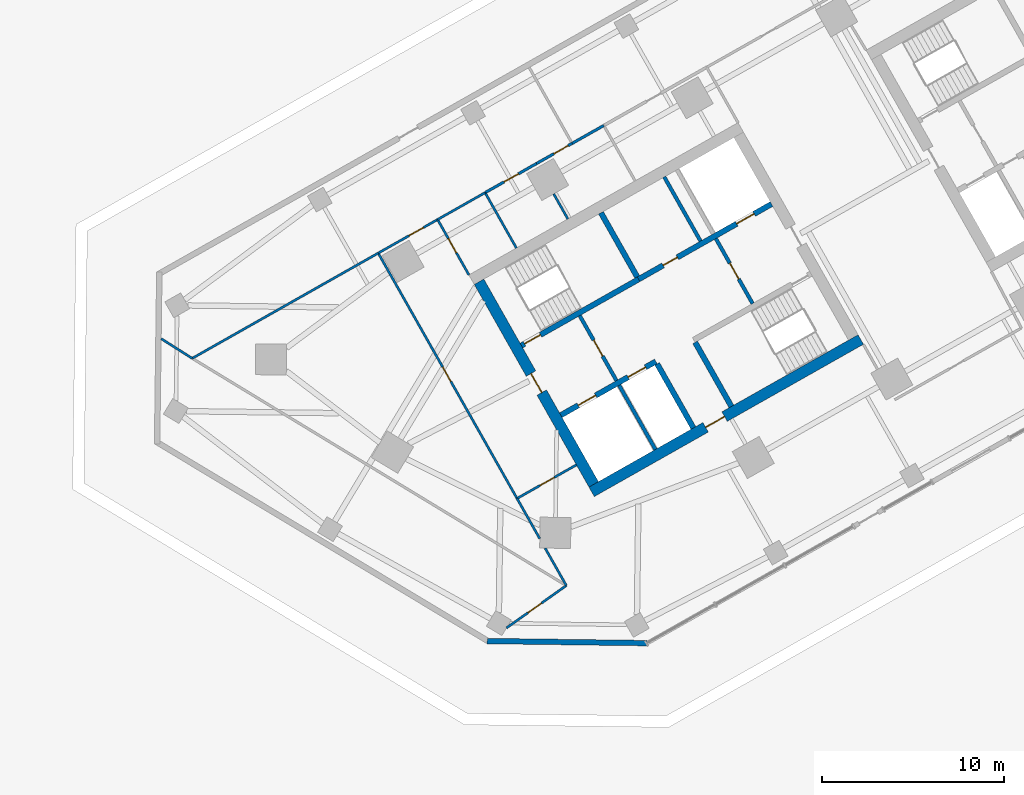
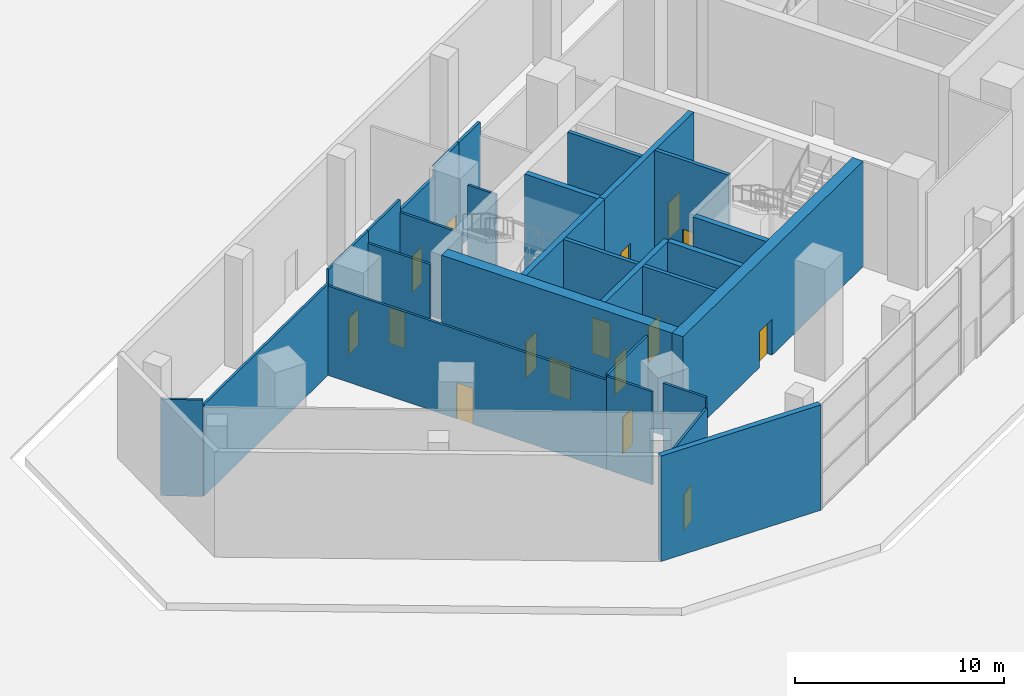
# One storey, part 12 of 22: 28 walls, 16 doors, 16 openings.
"""IFC4 building model written with IfcOpenShell, lengths in metres."""

from ifc_helpers import new_model, si_unit, direction, frame, frame_2d, origin, place, context, subcontext, project, spatial, rectangle, extrude, material, layer, layer_set, type_object, element, fill, save


model = new_model("IFC4")

# Units and contexts
model_context = context("Model", 3, precision=1e-05, world=origin(), true_north=direction((0.0, 1.0)))
body_context = subcontext(model_context, "Body", "Model", "MODEL_VIEW")
ifc_project = project(units=[si_unit("LENGTHUNIT", "METRE"), si_unit("AREAUNIT", "SQUARE_METRE"), si_unit("VOLUMEUNIT", "CUBIC_METRE"), si_unit("PLANEANGLEUNIT", "RADIAN"), si_unit("MASSUNIT", "GRAM", prefix="KILO")], contexts=[model_context])

# Site, building, storey
site_placement = place(None, origin())
site = spatial("IfcSite", under=ifc_project, at=site_placement, CompositionType="ELEMENT")
building_placement = place(site_placement, origin())
building = spatial("IfcBuilding", under=site, at=building_placement, Name="Binnacle Exchange Tower", CompositionType="ELEMENT")
storey_placement = place(building_placement, origin())
storey = spatial("IfcBuildingStorey", under=building, at=storey_placement, Name="L00", CompositionType="ELEMENT", Elevation=0.0)

# Wall, openings, doors
ifc_material_1 = material(Name="Concrete C70/85", Category="concrete")
ifc_layer_1 = layer(ifc_material_1, 0.300048828125)
ifc_layer_set_1 = layer_set([ifc_layer_1], Name="Core wall - front 300")
wall_type_1 = type_object("IfcWallType", Name="Core wall - front 300", PredefinedType="SOLIDWALL", material=ifc_layer_set_1)
wall_1_placement = place(storey_placement, frame((-41.555908203125, 33.9609375, 0.0), z_axis=(0.0, 0.0, 1.0), x_axis=(0.870343731308, 0.492444706919, 0.0)))
wall_1 = element("IfcWall", 1, at=wall_1_placement, inside=storey, type_object=wall_type_1, Name="Core wall CRWA2", PredefinedType="SOLIDWALL", context=body_context, shape_type="SweptSolid", body=[
    extrude(rectangle(XDim=5.999755859375, YDim=0.300048828125, at=frame_2d((3.0, 0.0))), origin(), (0.0, 0.0, 1.0), 6.14990234375),
])
opening_1_placement = place(wall_1_placement, frame((1.099853515625, 0.0, 0.0)))
opening_1 = element("IfcOpeningElement", 2, at=opening_1_placement, cuts=wall_1, Name="Opening LD12", PredefinedType="OPENING", context=body_context, shape_type="SweptSolid", body=[
    extrude(rectangle(XDim=1.10009765625, YDim=2.10009765625, at=frame_2d((0.550048828125, 1.050048828125))), frame((0.0, 0.159912109375, 0.0), z_axis=(0.0, -1.0, 0.0), x_axis=(1.0, 0.0, 0.0)), (0.0, 0.0, 1.0), 0.320068359375),
])
opening_2_placement = place(wall_1_placement, frame((4.25, 0.0, 0.0)))
opening_2 = element("IfcOpeningElement", 3, at=opening_2_placement, cuts=wall_1, Name="Opening LD8", PredefinedType="OPENING", context=body_context, shape_type="SweptSolid", body=[
    extrude(rectangle(XDim=1.10009765625, YDim=2.10009765625, at=frame_2d((0.550048828125, 1.050048828125))), frame((0.0, 0.159912109375, 0.0), z_axis=(0.0, -1.0, 0.0), x_axis=(1.0, 0.0, 0.0)), (0.0, 0.0, 1.0), 0.320068359375),
])
ifc_material_2 = material(Name="Steel door leaf", Category="steel")
door_type_1 = type_object("IfcDoorType", Name="Fire door - lift landing 1100", OperationType="NOTDEFINED", PredefinedType="DOOR", material=ifc_material_2)
door_1_placement = place(opening_1_placement, origin())
door_1 = element("IfcDoor", 4, at=door_1_placement, inside=storey, type_object=door_type_1, Name="Landing door LD12 L00", OperationType="DOUBLE_DOOR_SLIDING", OverallHeight=2.10009765625, OverallWidth=1.10009765625, PredefinedType="DOOR", context=body_context, shape_type="SweptSolid", body=[
    extrude(rectangle(XDim=1.10009765625, YDim=2.10009765625, at=frame_2d((0.550048828125, 1.050048828125))), frame((0.0, 0.02490234375, 0.0), z_axis=(0.0, -1.0, 0.0), x_axis=(1.0, 0.0, 0.0)), (0.0, 0.0, 1.0), 0.050048828125),
])
fill(opening_1, door_1)
door_2_placement = place(opening_2_placement, origin())
door_2 = element("IfcDoor", 5, at=door_2_placement, inside=storey, type_object=door_type_1, Name="Landing door LD8 L00", OperationType="DOUBLE_DOOR_SLIDING", OverallHeight=2.10009765625, OverallWidth=1.10009765625, PredefinedType="DOOR", context=body_context, shape_type="SweptSolid", body=[
    extrude(rectangle(XDim=1.10009765625, YDim=2.10009765625, at=frame_2d((0.550048828125, 1.050048828125))), frame((0.0, 0.02490234375, 0.0), z_axis=(0.0, -1.0, 0.0), x_axis=(1.0, 0.0, 0.0)), (0.0, 0.0, 1.0), 0.050048828125),
])
fill(opening_2, door_2)

wall_2_placement = place(storey_placement, frame((-37.281982421875, 41.4345703125, 0.0), z_axis=(0.0, 0.0, 1.0), x_axis=(0.870356516133, 0.492422110414, 0.0)))
wall_2 = element("IfcWall", 6, at=wall_2_placement, inside=storey, type_object=wall_type_1, Name="Core wall CRWA5", PredefinedType="SOLIDWALL", context=body_context, shape_type="SweptSolid", body=[
    extrude(rectangle(XDim=8.399658203125, YDim=0.300048828125, at=frame_2d((4.19970703125, 0.0))), origin(), (0.0, 0.0, 1.0), 6.14990234375),
])
opening_3_placement = place(wall_2_placement, frame((6.199951171875, 0.0, 0.0)))
opening_3 = element("IfcOpeningElement", 7, at=opening_3_placement, cuts=wall_2, Name="Opening LD13", PredefinedType="OPENING", context=body_context, shape_type="SweptSolid", body=[
    extrude(rectangle(XDim=1.10009765625, YDim=2.10009765625, at=frame_2d((0.550048828125, 1.050048828125))), frame((0.0, 0.159912109375, 0.0), z_axis=(0.0, -1.0, 0.0), x_axis=(1.0, 0.0, 0.0)), (0.0, 0.0, 1.0), 0.320068359375),
])
opening_4_placement = place(wall_2_placement, frame((1.550048828125, 0.0, 0.0)))
opening_4 = element("IfcOpeningElement", 8, at=opening_4_placement, cuts=wall_2, Name="Opening DA10", PredefinedType="OPENING", context=body_context, shape_type="SweptSolid", body=[
    extrude(rectangle(XDim=0.89990234375, YDim=2.10009765625, at=frame_2d((0.449951171875, 1.050048828125))), frame((0.0, 0.159912109375, 0.0), z_axis=(0.0, -1.0, 0.0), x_axis=(1.0, 0.0, 0.0)), (0.0, 0.0, 1.0), 0.320068359375),
])
door_3_placement = place(opening_3_placement, origin())
door_3 = element("IfcDoor", 9, at=door_3_placement, inside=storey, type_object=door_type_1, Name="Landing door LD13 L00", OperationType="DOUBLE_DOOR_SLIDING", OverallHeight=2.10009765625, OverallWidth=1.10009765625, PredefinedType="DOOR", context=body_context, shape_type="SweptSolid", body=[
    extrude(rectangle(XDim=1.10009765625, YDim=2.10009765625, at=frame_2d((0.550048828125, 1.050048828125))), frame((0.0, 0.02490234375, 0.0), z_axis=(0.0, -1.0, 0.0), x_axis=(1.0, 0.0, 0.0)), (0.0, 0.0, 1.0), 0.050048828125),
])
fill(opening_3, door_3)
door_type_2 = type_object("IfcDoorType", Name="Fire door 900", OperationType="NOTDEFINED", PredefinedType="DOOR", material=ifc_material_2)
door_4_placement = place(opening_4_placement, origin())
door_4 = element("IfcDoor", 10, at=door_4_placement, inside=storey, type_object=door_type_2, Name="Core room door EQUIPMENT STORE", OperationType="SINGLE_SWING_LEFT", OverallHeight=2.10009765625, OverallWidth=0.89990234375, PredefinedType="DOOR", context=body_context, shape_type="SweptSolid", body=[
    extrude(rectangle(XDim=0.89990234375, YDim=2.10009765625, at=frame_2d((0.449951171875, 1.050048828125))), frame((0.0, 0.02490234375, 0.0), z_axis=(0.0, -1.0, 0.0), x_axis=(1.0, 0.0, 0.0)), (0.0, 0.0, 1.0), 0.050048828125),
])
fill(opening_4, door_4)

# Wall
wall_3_placement = place(storey_placement, frame((-36.260009765625, 36.784912109375, 0.0), z_axis=(0.0, 0.0, 1.0), x_axis=(0.492440575896, -0.870346068648, 0.0)))
element("IfcWall", 11, at=wall_3_placement, inside=storey, type_object=wall_type_1, Name="Core wall CRWA13", PredefinedType="SOLIDWALL", context=body_context, shape_type="SweptSolid", body=[
    extrude(rectangle(XDim=4.050048828125, YDim=0.300048828125, at=frame_2d((2.02490234375, 0.0))), origin(), (0.0, 0.0, 1.0), 6.14990234375),
])

# Wall, opening, door
ifc_layer_2 = layer(ifc_material_1, 0.60009765625)
ifc_layer_set_2 = layer_set([ifc_layer_2], Name="Core wall - outer 600")
wall_type_2 = type_object("IfcWallType", Name="Core wall - outer 600", PredefinedType="SOLIDWALL", material=ifc_layer_set_2)
wall_4_placement = place(storey_placement, frame((-39.8623046875, 29.748779296875, 0.0), z_axis=(0.0, 0.0, 1.0), x_axis=(0.870350116061, 0.492433422375, 0.0)))
wall_4 = element("IfcWall", 12, at=wall_4_placement, inside=storey, type_object=wall_type_2, Name="Core wall CRWA1", PredefinedType="SOLIDWALL", context=body_context, shape_type="SweptSolid", body=[
    extrude(rectangle(XDim=17.0, YDim=0.60009765625, at=frame_2d((8.5, 0.0))), origin(), (0.0, 0.0, 1.0), 6.14990234375),
])
opening_5_placement = place(wall_4_placement, frame((7.199951171875, 0.0, 0.0)))
opening_5 = element("IfcOpeningElement", 13, at=opening_5_placement, cuts=wall_4, Name="Opening DA7", PredefinedType="OPENING", context=body_context, shape_type="SweptSolid", body=[
    extrude(rectangle(XDim=1.199951171875, YDim=2.10009765625, at=frame_2d((0.60009765625, 1.050048828125))), frame((0.0, 0.31005859375, 0.0), z_axis=(0.0, -1.0, 0.0), x_axis=(1.0, 0.0, 0.0)), (0.0, 0.0, 1.0), 0.6201171875),
])
door_type_3 = type_object("IfcDoorType", Name="Fire door 1200", OperationType="NOTDEFINED", PredefinedType="DOOR", material=ifc_material_2)
door_5_placement = place(opening_5_placement, frame((1.199951171875, 0.0, 0.0), z_axis=(0.0, 0.0, 1.0), x_axis=(-1.0, 0.0, 0.0)))
door_5 = element("IfcDoor", 14, at=door_5_placement, inside=storey, type_object=door_type_3, Name="Lift lobby entrance door core A", OperationType="SINGLE_SWING_RIGHT", OverallHeight=2.10009765625, OverallWidth=1.199951171875, PredefinedType="DOOR", context=body_context, shape_type="SweptSolid", body=[
    extrude(rectangle(XDim=1.199951171875, YDim=2.10009765625, at=frame_2d((0.60009765625, 1.050048828125))), frame((0.0, 0.02490234375, 0.0), z_axis=(0.0, -1.0, 0.0), x_axis=(1.0, 0.0, 0.0)), (0.0, 0.0, 1.0), 0.050048828125),
])
fill(opening_5, door_5)

wall_5_placement = place(storey_placement, frame((-46.052001953125, 41.29833984375, 0.0), z_axis=(0.0, 0.0, 1.0), x_axis=(0.492418598281, -0.870358503186, 0.0)))
wall_5 = element("IfcWall", 15, at=wall_5_placement, inside=storey, type_object=wall_type_2, Name="Core wall CRWA7", PredefinedType="SOLIDWALL", context=body_context, shape_type="SweptSolid", body=[
    extrude(rectangle(XDim=12.800048828125, YDim=0.60009765625, at=frame_2d((6.39990234375, 0.0))), origin(), (0.0, 0.0, 1.0), 6.14990234375),
])
opening_6_placement = place(wall_5_placement, frame((5.800048828125, 0.0, 0.0)))
opening_6 = element("IfcOpeningElement", 16, at=opening_6_placement, cuts=wall_5, Name="Opening DA5", PredefinedType="OPENING", context=body_context, shape_type="SweptSolid", body=[
    extrude(rectangle(XDim=1.199951171875, YDim=2.10009765625, at=frame_2d((0.60009765625, 1.050048828125))), frame((0.0, 0.31005859375, 0.0), z_axis=(0.0, -1.0, 0.0), x_axis=(1.0, 0.0, 0.0)), (0.0, 0.0, 1.0), 0.6201171875),
])
door_6_placement = place(opening_6_placement, frame((1.199951171875, 0.0, 0.0), z_axis=(0.0, 0.0, 1.0), x_axis=(-1.0, 0.0, 0.0)))
door_6 = element("IfcDoor", 17, at=door_6_placement, inside=storey, type_object=door_type_3, Name="Vestibule exit door VEST-W", OperationType="SINGLE_SWING_LEFT", OverallHeight=2.10009765625, OverallWidth=1.199951171875, PredefinedType="DOOR", context=body_context, shape_type="SweptSolid", body=[
    extrude(rectangle(XDim=1.199951171875, YDim=2.10009765625, at=frame_2d((0.60009765625, 1.050048828125))), frame((0.0, 0.02490234375, 0.0), z_axis=(0.0, -1.0, 0.0), x_axis=(1.0, 0.0, 0.0)), (0.0, 0.0, 1.0), 0.050048828125),
])
fill(opening_6, door_6)

ifc_layer_3 = layer(ifc_material_1, 0.300048828125)
ifc_layer_set_3 = layer_set([ifc_layer_3], Name="Core wall - stair 300")
wall_type_3 = type_object("IfcWallType", Name="Core wall - stair 300", PredefinedType="SOLIDWALL", material=ifc_layer_set_3)
wall_6_placement = place(storey_placement, frame((-43.72265625, 37.79052734375, 0.0), z_axis=(0.0, 0.0, 1.0), x_axis=(0.87035077051, 0.49243226567, 0.0)))
wall_6 = element("IfcWall", 18, at=wall_6_placement, inside=storey, type_object=wall_type_3, Name="Core wall CRWA4", PredefinedType="SOLIDWALL", context=body_context, shape_type="SweptSolid", body=[
    extrude(rectangle(XDim=7.400146484375, YDim=0.300048828125, at=frame_2d((3.7001953125, 0.0))), origin(), (0.0, 0.0, 1.0), 6.14990234375),
])
opening_7_placement = place(wall_6_placement, frame((0.199951171875, 0.0, 0.0)))
opening_7 = element("IfcOpeningElement", 19, at=opening_7_placement, cuts=wall_6, Name="Opening DA1", PredefinedType="OPENING", context=body_context, shape_type="SweptSolid", body=[
    extrude(rectangle(XDim=1.0, YDim=2.10009765625, at=frame_2d((0.5, 1.050048828125))), frame((0.0, 0.159912109375, 0.0), z_axis=(0.0, -1.0, 0.0), x_axis=(1.0, 0.0, 0.0)), (0.0, 0.0, 1.0), 0.320068359375),
])
door_type_4 = type_object("IfcDoorType", Name="Fire door 1000", OperationType="NOTDEFINED", PredefinedType="DOOR", material=ifc_material_2)
door_7_placement = place(opening_7_placement, origin())
door_7 = element("IfcDoor", 20, at=door_7_placement, inside=storey, type_object=door_type_4, Name="Stair door ST-A1", OperationType="SINGLE_SWING_LEFT", OverallHeight=2.10009765625, OverallWidth=1.0, PredefinedType="DOOR", context=body_context, shape_type="SweptSolid", body=[
    extrude(rectangle(XDim=1.0, YDim=2.10009765625, at=frame_2d((0.5, 1.050048828125))), frame((0.0, 0.02490234375, 0.0), z_axis=(0.0, -1.0, 0.0), x_axis=(1.0, 0.0, 0.0)), (0.0, 0.0, 1.0), 0.050048828125),
])
fill(opening_7, door_7)

# Walls
wall_7_placement = place(storey_placement, frame((-39.350341796875, 45.090087890625, 0.0), z_axis=(0.0, 0.0, 1.0), x_axis=(0.49241474071, -0.870360685654, 0.0)))
element("IfcWall", 21, at=wall_7_placement, inside=storey, type_object=wall_type_3, Name="Core wall CRWA14", PredefinedType="SOLIDWALL", context=body_context, shape_type="SweptSolid", body=[
    extrude(rectangle(XDim=4.05029296875, YDim=0.300048828125, at=frame_2d((2.025146484375, 0.0))), origin(), (0.0, 0.0, 1.0), 6.14990234375),
])
wall_8_placement = place(storey_placement, frame((-34.171142578125, 37.966796875, 0.0), z_axis=(0.0, 0.0, 1.0), x_axis=(0.492394910396, -0.870371904542, 0.0)))
element("IfcWall", 22, at=wall_8_placement, inside=storey, type_object=wall_type_3, Name="Core wall CRWA16", PredefinedType="SOLIDWALL", context=body_context, shape_type="SweptSolid", body=[
    extrude(rectangle(XDim=4.0498046875, YDim=0.300048828125, at=frame_2d((2.02490234375, 0.0))), origin(), (0.0, 0.0, 1.0), 6.14990234375),
])
ifc_material_3 = material(Name="Bronze aluminium louvre", Category="aluminium")
ifc_layer_4 = layer(ifc_material_3, 0.300048828125)
ifc_layer_set_4 = layer_set([ifc_layer_4], Name="External wall - podium louvre 300")
wall_type_4 = type_object("IfcWallType", Name="External wall - podium louvre 300", PredefinedType="STANDARD", material=ifc_layer_set_4)
wall_9_placement = place(storey_placement, frame((-36.821044921875, 21.42822265625, 0.0), z_axis=(0.0, 0.0, 1.0), x_axis=(-0.999914252794, 0.013095306781, 0.0)))
element("IfcWall", 23, at=wall_9_placement, inside=storey, type_object=wall_type_4, Name="External wall EW-P05 L00", PredefinedType="STANDARD", context=body_context, shape_type="SweptSolid", body=[
    extrude(rectangle(XDim=8.781005859375, YDim=0.300048828125, at=frame_2d((4.390625, 0.0))), origin(), (0.0, 0.0, 1.0), 6.14990234375),
])

# Wall, opening, door
ifc_material_4 = material(Name="Masonry block wall", Category="masonry")
ifc_layer_5 = layer(ifc_material_4, 0.199951171875)
ifc_layer_set_5 = layer_set([ifc_layer_5], Name="Fire wall - vestibule 200")
wall_type_5 = type_object("IfcWallType", Name="Fire wall - vestibule 200", PredefinedType="PARTITIONING", material=ifc_layer_set_5)
wall_10_placement = place(storey_placement, frame((-40.515625, 39.4326171875, 0.0), z_axis=(0.0, 0.0, 1.0), x_axis=(0.492453559952, -0.87033872216, 0.0)))
wall_10 = element("IfcWall", 24, at=wall_10_placement, inside=storey, type_object=wall_type_5, Name="Core wall CRWA10", PredefinedType="PARTITIONING", context=body_context, shape_type="SweptSolid", body=[
    extrude(rectangle(XDim=4.099853515625, YDim=0.199951171875, at=frame_2d((2.0498046875, 0.0))), origin(), (0.0, 0.0, 1.0), 6.14990234375),
])
opening_8_placement = place(wall_10_placement, frame((1.550048828125, 0.0, 0.0)))
opening_8 = element("IfcOpeningElement", 25, at=opening_8_placement, cuts=wall_10, Name="Opening DA3", PredefinedType="OPENING", context=body_context, shape_type="SweptSolid", body=[
    extrude(rectangle(XDim=1.0, YDim=2.10009765625, at=frame_2d((0.5, 1.050048828125))), frame((0.0, 0.10986328125, 0.0), z_axis=(0.0, -1.0, 0.0), x_axis=(1.0, 0.0, 0.0)), (0.0, 0.0, 1.0), 0.219970703125),
])
door_8_placement = place(opening_8_placement, frame((1.0, 0.0, 0.0), z_axis=(0.0, 0.0, 1.0), x_axis=(-1.0, 0.0, 0.0)))
door_8 = element("IfcDoor", 26, at=door_8_placement, inside=storey, type_object=door_type_4, Name="Vestibule door VEST-W", OperationType="SINGLE_SWING_LEFT", OverallHeight=2.10009765625, OverallWidth=1.0, PredefinedType="DOOR", context=body_context, shape_type="SweptSolid", body=[
    extrude(rectangle(XDim=1.0, YDim=2.10009765625, at=frame_2d((0.5, 1.050048828125))), frame((0.0, 0.02490234375, 0.0), z_axis=(0.0, -1.0, 0.0), x_axis=(1.0, 0.0, 0.0)), (0.0, 0.0, 1.0), 0.050048828125),
])
fill(opening_8, door_8)

wall_11_placement = place(storey_placement, frame((-33.030517578125, 43.66748046875, 0.0), z_axis=(0.0, 0.0, 1.0), x_axis=(0.492408451753, -0.87036424366, 0.0)))
wall_11 = element("IfcWall", 27, at=wall_11_placement, inside=storey, type_object=wall_type_5, Name="Core wall CRWA19", PredefinedType="PARTITIONING", context=body_context, shape_type="SweptSolid", body=[
    extrude(rectangle(XDim=4.099853515625, YDim=0.199951171875, at=frame_2d((2.0498046875, 0.0))), origin(), (0.0, 0.0, 1.0), 6.14990234375),
])
opening_9_placement = place(wall_11_placement, frame((1.550048828125, 0.0, 0.0)))
opening_9 = element("IfcOpeningElement", 28, at=opening_9_placement, cuts=wall_11, Name="Opening DA4", PredefinedType="OPENING", context=body_context, shape_type="SweptSolid", body=[
    extrude(rectangle(XDim=1.0, YDim=2.10009765625, at=frame_2d((0.5, 1.050048828125))), frame((0.0, 0.10986328125, 0.0), z_axis=(0.0, -1.0, 0.0), x_axis=(1.0, 0.0, 0.0)), (0.0, 0.0, 1.0), 0.219970703125),
])
door_9_placement = place(opening_9_placement, origin())
door_9 = element("IfcDoor", 29, at=door_9_placement, inside=storey, type_object=door_type_4, Name="Vestibule door VEST-E", OperationType="SINGLE_SWING_RIGHT", OverallHeight=2.10009765625, OverallWidth=1.0, PredefinedType="DOOR", context=body_context, shape_type="SweptSolid", body=[
    extrude(rectangle(XDim=1.0, YDim=2.10009765625, at=frame_2d((0.5, 1.050048828125))), frame((0.0, 0.02490234375, 0.0), z_axis=(0.0, -1.0, 0.0), x_axis=(1.0, 0.0, 0.0)), (0.0, 0.0, 1.0), 0.050048828125),
])
fill(opening_9, door_9)

ifc_material_5 = material(Name="Gypsum partition fire rated")
ifc_layer_6 = layer(ifc_material_5, 0.14990234375)
ifc_layer_set_6 = layer_set([ifc_layer_6], Name="Fire-rated partition 150")
wall_type_6 = type_object("IfcWallType", Name="Fire-rated partition 150", PredefinedType="PARTITIONING", material=ifc_layer_set_6)
wall_12_placement = place(storey_placement, frame((-45.720947265625, 46.196044921875, 0.0), z_axis=(0.0, 0.0, 1.0), x_axis=(0.870278724491, 0.492559581877, 0.0)))
wall_12 = element("IfcWall", 30, at=wall_12_placement, inside=storey, type_object=wall_type_6, Name="Partition W09", PredefinedType="PARTITIONING", context=body_context, shape_type="SweptSolid", body=[
    extrude(rectangle(XDim=3.25048828125, YDim=0.14990234375, at=frame_2d((1.625244140625, 0.0))), origin(), (0.0, 0.0, 1.0), 5.530029296875),
])
opening_10_placement = place(wall_12_placement, frame((1.199951171875, 0.0, 0.0)))
opening_10 = element("IfcOpeningElement", 31, at=opening_10_placement, cuts=wall_12, Name="Opening DL00-13", PredefinedType="OPENING", context=body_context, shape_type="SweptSolid", body=[
    extrude(rectangle(XDim=0.89990234375, YDim=2.10009765625, at=frame_2d((0.449951171875, 1.050048828125))), frame((0.0, 0.0849609375, 0.0), z_axis=(0.0, -1.0, 0.0), x_axis=(1.0, 0.0, 0.0)), (0.0, 0.0, 1.0), 0.169921875),
])
door_10_placement = place(opening_10_placement, frame((0.89990234375, 0.0, 0.0), z_axis=(0.0, 0.0, 1.0), x_axis=(-1.0, 0.0, 0.0)))
door_10 = element("IfcDoor", 32, at=door_10_placement, inside=storey, type_object=door_type_2, Name="Door DL00-13", OperationType="SINGLE_SWING_LEFT", OverallHeight=2.10009765625, OverallWidth=0.89990234375, PredefinedType="DOOR", context=body_context, shape_type="SweptSolid", body=[
    extrude(rectangle(XDim=0.89990234375, YDim=2.10009765625, at=frame_2d((0.449951171875, 1.050048828125))), frame((0.0, 0.02490234375, 0.0), z_axis=(0.0, -1.0, 0.0), x_axis=(1.0, 0.0, 0.0)), (0.0, 0.0, 1.0), 0.050048828125),
])
fill(opening_10, door_10)

wall_13_placement = place(storey_placement, frame((-42.89208984375, 47.797119140625, 0.0), z_axis=(0.0, 0.0, 1.0), x_axis=(0.870332332106, 0.492464853254, 0.0)))
wall_13 = element("IfcWall", 33, at=wall_13_placement, inside=storey, type_object=wall_type_6, Name="Partition W14", PredefinedType="PARTITIONING", context=body_context, shape_type="SweptSolid", body=[
    extrude(rectangle(XDim=2.249755859375, YDim=0.14990234375, at=frame_2d((1.125, 0.0))), origin(), (0.0, 0.0, 1.0), 6.14990234375),
])
opening_11_placement = place(wall_13_placement, frame((1.10009765625, 0.0, 0.0)))
opening_11 = element("IfcOpeningElement", 34, at=opening_11_placement, cuts=wall_13, Name="Opening DL00-14", PredefinedType="OPENING", context=body_context, shape_type="SweptSolid", body=[
    extrude(rectangle(XDim=0.89990234375, YDim=2.10009765625, at=frame_2d((0.449951171875, 1.050048828125))), frame((0.0, 0.0849609375, 0.0), z_axis=(0.0, -1.0, 0.0), x_axis=(1.0, 0.0, 0.0)), (0.0, 0.0, 1.0), 0.169921875),
])
door_11_placement = place(opening_11_placement, frame((0.89990234375, 0.0, 0.0), z_axis=(0.0, 0.0, 1.0), x_axis=(-1.0, 0.0, 0.0)))
door_11 = element("IfcDoor", 35, at=door_11_placement, inside=storey, type_object=door_type_2, Name="Door DL00-14", OperationType="SINGLE_SWING_LEFT", OverallHeight=2.10009765625, OverallWidth=0.89990234375, PredefinedType="DOOR", context=body_context, shape_type="SweptSolid", body=[
    extrude(rectangle(XDim=0.89990234375, YDim=2.10009765625, at=frame_2d((0.449951171875, 1.050048828125))), frame((0.0, 0.02490234375, 0.0), z_axis=(0.0, -1.0, 0.0), x_axis=(1.0, 0.0, 0.0)), (0.0, 0.0, 1.0), 0.050048828125),
])
fill(opening_11, door_11)

# Walls
wall_14_placement = place(storey_placement, frame((-40.93408203125, 48.905029296875, 0.0), z_axis=(0.0, 0.0, 1.0), x_axis=(0.870592396556, 0.492004958368, 0.0)))
element("IfcWall", 36, at=wall_14_placement, inside=storey, type_object=wall_type_6, Name="Partition W17", PredefinedType="PARTITIONING", context=body_context, shape_type="SweptSolid", body=[
    extrude(rectangle(XDim=1.999755859375, YDim=0.14990234375, at=frame_2d((1.0, 0.0))), origin(), (0.0, 0.0, 1.0), 6.14990234375),
])
ifc_material_6 = material(Name="Gypsum partition")
ifc_layer_7 = layer(ifc_material_6, 0.125)
ifc_layer_set_7 = layer_set([ifc_layer_7], Name="Partition 125")
wall_type_7 = type_object("IfcWallType", Name="Partition 125", PredefinedType="PARTITIONING", material=ifc_layer_set_7)
wall_15_placement = place(storey_placement, frame((-63.529052734375, 38.1669921875, 0.0), z_axis=(0.0, 0.0, 1.0), x_axis=(0.844913795328, -0.534902494352, 0.0)))
element("IfcWall", 37, at=wall_15_placement, inside=storey, type_object=wall_type_7, Name="Partition W01", PredefinedType="PARTITIONING", context=body_context, shape_type="SweptSolid", body=[
    extrude(rectangle(XDim=2.019287109375, YDim=0.125, at=frame_2d((1.009765625, 0.0))), origin(), (0.0, 0.0, 1.0), 5.6298828125),
])
wall_16_placement = place(storey_placement, frame((-61.822998046875, 37.0869140625, 0.0), z_axis=(0.0, 0.0, 1.0), x_axis=(0.870357669928, 0.492420071074, 0.0)))
element("IfcWall", 38, at=wall_16_placement, inside=storey, type_object=wall_type_7, Name="Partition W02", PredefinedType="PARTITIONING", context=body_context, shape_type="SweptSolid", body=[
    extrude(rectangle(XDim=11.75048828125, YDim=0.125, at=frame_2d((5.875244140625, 0.0))), origin(), (0.0, 0.0, 1.0), 5.330078125),
])

# Wall, opening, door
wall_17_placement = place(storey_placement, frame((-51.595947265625, 42.873046875, 0.0), z_axis=(0.0, 0.0, 1.0), x_axis=(0.87043427122, 0.492284652905, 0.0)))
wall_17 = element("IfcWall", 39, at=wall_17_placement, inside=storey, type_object=wall_type_7, Name="Partition W04", PredefinedType="PARTITIONING", context=body_context, shape_type="SweptSolid", body=[
    extrude(rectangle(XDim=3.749755859375, YDim=0.125, at=frame_2d((1.875, 0.0))), origin(), (0.0, 0.0, 1.0), 6.14990234375),
])
opening_12_placement = place(wall_17_placement, frame((1.949951171875, 0.0, 0.0)))
opening_12 = element("IfcOpeningElement", 40, at=opening_12_placement, cuts=wall_17, Name="Opening DL00-04", PredefinedType="OPENING", context=body_context, shape_type="SweptSolid", body=[
    extrude(rectangle(XDim=0.89990234375, YDim=2.10009765625, at=frame_2d((0.449951171875, 1.050048828125))), frame((0.0, 0.072509765625, 0.0), z_axis=(0.0, -1.0, 0.0), x_axis=(1.0, 0.0, 0.0)), (0.0, 0.0, 1.0), 0.14501953125),
])
ifc_material_7 = material(Name="Timber door leaf", Category="wood")
door_type_5 = type_object("IfcDoorType", Name="Door 900", OperationType="NOTDEFINED", PredefinedType="DOOR", material=ifc_material_7)
door_12_placement = place(opening_12_placement, origin())
door_12 = element("IfcDoor", 41, at=door_12_placement, inside=storey, type_object=door_type_5, Name="Door DL00-04", OperationType="SINGLE_SWING_RIGHT", OverallHeight=2.10009765625, OverallWidth=0.89990234375, PredefinedType="DOOR", context=body_context, shape_type="SweptSolid", body=[
    extrude(rectangle(XDim=0.89990234375, YDim=2.10009765625, at=frame_2d((0.449951171875, 1.050048828125))), frame((0.0, 0.02490234375, 0.0), z_axis=(0.0, -1.0, 0.0), x_axis=(1.0, 0.0, 0.0)), (0.0, 0.0, 1.0), 0.050048828125),
])
fill(opening_12, door_12)

wall_18_placement = place(storey_placement, frame((-51.595947265625, 42.873046875, 0.0), z_axis=(0.0, 0.0, 1.0), x_axis=(0.492435038471, -0.870349201692, 0.0)))
wall_18 = element("IfcWall", 42, at=wall_18_placement, inside=storey, type_object=wall_type_7, Name="Partition W05", PredefinedType="PARTITIONING", context=body_context, shape_type="SweptSolid", body=[
    extrude(rectangle(XDim=15.500732421875, YDim=0.125, at=frame_2d((7.75048828125, 0.0))), origin(), (0.0, 0.0, 1.0), 5.2119140625),
])
opening_13_placement = place(wall_18_placement, frame((7.199951171875, 0.0, 0.0)))
opening_13 = element("IfcOpeningElement", 43, at=opening_13_placement, cuts=wall_18, Name="Opening DL00-07", PredefinedType="OPENING", context=body_context, shape_type="SweptSolid", body=[
    extrude(rectangle(XDim=0.89990234375, YDim=2.10009765625, at=frame_2d((0.449951171875, 1.050048828125))), frame((0.0, 0.072509765625, 0.0), z_axis=(0.0, -1.0, 0.0), x_axis=(1.0, 0.0, 0.0)), (0.0, 0.0, 1.0), 0.14501953125),
])
door_13_placement = place(opening_13_placement, frame((0.89990234375, 0.0, 0.0), z_axis=(0.0, 0.0, 1.0), x_axis=(-1.0, 0.0, 0.0)))
door_13 = element("IfcDoor", 44, at=door_13_placement, inside=storey, type_object=door_type_5, Name="Door DL00-07", OperationType="SINGLE_SWING_RIGHT", OverallHeight=2.10009765625, OverallWidth=0.89990234375, PredefinedType="DOOR", context=body_context, shape_type="SweptSolid", body=[
    extrude(rectangle(XDim=0.89990234375, YDim=2.10009765625, at=frame_2d((0.449951171875, 1.050048828125))), frame((0.0, 0.02490234375, 0.0), z_axis=(0.0, -1.0, 0.0), x_axis=(1.0, 0.0, 0.0)), (0.0, 0.0, 1.0), 0.050048828125),
])
fill(opening_13, door_13)

wall_19_placement = place(storey_placement, frame((-48.33203125, 44.718994140625, 0.0), z_axis=(0.0, 0.0, 1.0), x_axis=(0.492392845909, -0.87037307248, 0.0)))
wall_19 = element("IfcWall", 45, at=wall_19_placement, inside=storey, type_object=wall_type_7, Name="Partition W06", PredefinedType="PARTITIONING", context=body_context, shape_type="SweptSolid", body=[
    extrude(rectangle(XDim=3.49951171875, YDim=0.125, at=frame_2d((1.749755859375, 0.0))), origin(), (0.0, 0.0, 1.0), 5.429931640625),
])
opening_14_placement = place(wall_19_placement, frame((1.199951171875, 0.0, 0.0)))
opening_14 = element("IfcOpeningElement", 46, at=opening_14_placement, cuts=wall_19, Name="Opening DL00-12", PredefinedType="OPENING", context=body_context, shape_type="SweptSolid", body=[
    extrude(rectangle(XDim=0.89990234375, YDim=2.10009765625, at=frame_2d((0.449951171875, 1.050048828125))), frame((0.0, 0.072509765625, 0.0), z_axis=(0.0, -1.0, 0.0), x_axis=(1.0, 0.0, 0.0)), (0.0, 0.0, 1.0), 0.14501953125),
])
door_14_placement = place(opening_14_placement, origin())
door_14 = element("IfcDoor", 47, at=door_14_placement, inside=storey, type_object=door_type_5, Name="Door DL00-12", OperationType="SINGLE_SWING_LEFT", OverallHeight=2.10009765625, OverallWidth=0.89990234375, PredefinedType="DOOR", context=body_context, shape_type="SweptSolid", body=[
    extrude(rectangle(XDim=0.89990234375, YDim=2.10009765625, at=frame_2d((0.449951171875, 1.050048828125))), frame((0.0, 0.02490234375, 0.0), z_axis=(0.0, -1.0, 0.0), x_axis=(1.0, 0.0, 0.0)), (0.0, 0.0, 1.0), 0.050048828125),
])
fill(opening_14, door_14)

# Walls
wall_20_placement = place(storey_placement, frame((-48.33203125, 44.718994140625, 0.0), z_axis=(0.0, 0.0, 1.0), x_axis=(0.870388475779, 0.492365617434, 0.0)))
element("IfcWall", 48, at=wall_20_placement, inside=storey, type_object=wall_type_7, Name="Partition W07", PredefinedType="PARTITIONING", context=body_context, shape_type="SweptSolid", body=[
    extrude(rectangle(XDim=3.0, YDim=0.125, at=frame_2d((1.5, 0.0))), origin(), (0.0, 0.0, 1.0), 6.14990234375),
])
wall_21_placement = place(storey_placement, frame((-45.720947265625, 46.196044921875, 0.0), z_axis=(0.0, 0.0, 1.0), x_axis=(0.492310098002, -0.870419879946, 0.0)))
element("IfcWall", 49, at=wall_21_placement, inside=storey, type_object=wall_type_7, Name="Partition W08", PredefinedType="PARTITIONING", context=body_context, shape_type="SweptSolid", body=[
    extrude(rectangle(XDim=3.49951171875, YDim=0.125, at=frame_2d((1.749755859375, 0.0))), origin(), (0.0, 0.0, 1.0), 5.429931640625),
])

# Wall, opening, door
wall_22_placement = place(storey_placement, frame((-44.5439453125, 22.263916015625, 0.0), z_axis=(0.0, 0.0, 1.0), x_axis=(0.815872106148, 0.578232398271, 0.0)))
wall_22 = element("IfcWall", 50, at=wall_22_placement, inside=storey, type_object=wall_type_7, Name="Partition W10", PredefinedType="PARTITIONING", context=body_context, shape_type="SweptSolid", body=[
    extrude(rectangle(XDim=4.03125, YDim=0.125, at=frame_2d((2.015625, 0.0))), origin(), (0.0, 0.0, 1.0), 5.52392578125),
])
opening_15_placement = place(wall_22_placement, frame((1.449951171875, 0.0, 0.0)))
opening_15 = element("IfcOpeningElement", 51, at=opening_15_placement, cuts=wall_22, Name="Opening DL00-08", PredefinedType="OPENING", context=body_context, shape_type="SweptSolid", body=[
    extrude(rectangle(XDim=0.89990234375, YDim=2.10009765625, at=frame_2d((0.449951171875, 1.050048828125))), frame((0.0, 0.072509765625, 0.0), z_axis=(0.0, -1.0, 0.0), x_axis=(1.0, 0.0, 0.0)), (0.0, 0.0, 1.0), 0.14501953125),
])
door_15_placement = place(opening_15_placement, origin())
door_15 = element("IfcDoor", 52, at=door_15_placement, inside=storey, type_object=door_type_5, Name="Door DL00-08", OperationType="SINGLE_SWING_LEFT", OverallHeight=2.10009765625, OverallWidth=0.89990234375, PredefinedType="DOOR", context=body_context, shape_type="SweptSolid", body=[
    extrude(rectangle(XDim=0.89990234375, YDim=2.10009765625, at=frame_2d((0.449951171875, 1.050048828125))), frame((0.0, 0.02490234375, 0.0), z_axis=(0.0, -1.0, 0.0), x_axis=(1.0, 0.0, 0.0)), (0.0, 0.0, 1.0), 0.050048828125),
])
fill(opening_15, door_15)

# Wall
wall_23_placement = place(storey_placement, frame((-43.962890625, 29.382080078125, 0.0), z_axis=(0.0, 0.0, 1.0), x_axis=(0.492408705769, -0.870364099951, 0.0)))
element("IfcWall", 53, at=wall_23_placement, inside=storey, type_object=wall_type_7, Name="Partition W11", PredefinedType="PARTITIONING", context=body_context, shape_type="SweptSolid", body=[
    extrude(rectangle(XDim=2.54052734375, YDim=0.125, at=frame_2d((1.270263671875, 0.0))), origin(), (0.0, 0.0, 1.0), 5.429931640625),
])

# Wall, opening, door
wall_24_placement = place(storey_placement, frame((-43.962890625, 29.382080078125, 0.0), z_axis=(0.0, 0.0, 1.0), x_axis=(0.870259488443, 0.492593567533, 0.0)))
wall_24 = element("IfcWall", 54, at=wall_24_placement, inside=storey, type_object=wall_type_7, Name="Partition W12", PredefinedType="PARTITIONING", context=body_context, shape_type="SweptSolid", body=[
    extrude(rectangle(XDim=3.749267578125, YDim=0.125, at=frame_2d((1.87451171875, 0.0))), origin(), (0.0, 0.0, 1.0), 5.52392578125),
])
opening_16_placement = place(wall_24_placement, frame((1.449951171875, 0.0, 0.0)))
opening_16 = element("IfcOpeningElement", 55, at=opening_16_placement, cuts=wall_24, Name="Opening DL00-01", PredefinedType="OPENING", context=body_context, shape_type="SweptSolid", body=[
    extrude(rectangle(XDim=0.89990234375, YDim=2.10009765625, at=frame_2d((0.449951171875, 1.050048828125))), frame((0.0, 0.072509765625, 0.0), z_axis=(0.0, -1.0, 0.0), x_axis=(1.0, 0.0, 0.0)), (0.0, 0.0, 1.0), 0.14501953125),
])
door_16_placement = place(opening_16_placement, origin())
door_16 = element("IfcDoor", 56, at=door_16_placement, inside=storey, type_object=door_type_5, Name="Door DL00-01", OperationType="SINGLE_SWING_RIGHT", OverallHeight=2.10009765625, OverallWidth=0.89990234375, PredefinedType="DOOR", context=body_context, shape_type="SweptSolid", body=[
    extrude(rectangle(XDim=0.89990234375, YDim=2.10009765625, at=frame_2d((0.449951171875, 1.050048828125))), frame((0.0, 0.02490234375, 0.0), z_axis=(0.0, -1.0, 0.0), x_axis=(1.0, 0.0, 0.0)), (0.0, 0.0, 1.0), 0.050048828125),
])
fill(opening_16, door_16)

# Walls
wall_25_placement = place(storey_placement, frame((-42.4189453125, 26.652099609375, 0.0), z_axis=(0.0, 0.0, 1.0), x_axis=(0.49248604225, -0.870320342281, 0.0)))
element("IfcWall", 57, at=wall_25_placement, inside=storey, type_object=wall_type_7, Name="Partition W15", PredefinedType="PARTITIONING", context=body_context, shape_type="SweptSolid", body=[
    extrude(rectangle(XDim=2.363525390625, YDim=0.125, at=frame_2d((1.181640625, 0.0))), origin(), (0.0, 0.0, 1.0), 6.14990234375),
])
wall_26_placement = place(storey_placement, frame((-41.948974609375, 46.12890625, 0.0), z_axis=(0.0, 0.0, 1.0), x_axis=(0.492366981934, -0.870387703901, 0.0)))
element("IfcWall", 58, at=wall_26_placement, inside=storey, type_object=wall_type_7, Name="Partition W16", PredefinedType="PARTITIONING", context=body_context, shape_type="SweptSolid", body=[
    extrude(rectangle(XDim=1.584228515625, YDim=0.125, at=frame_2d((0.7919921875, 0.0))), origin(), (0.0, 0.0, 1.0), 5.72998046875),
])
ifc_layer_8 = layer(ifc_material_4, 0.199951171875)
ifc_layer_set_8 = layer_set([ifc_layer_8], Name="Riser wall 200")
wall_type_8 = type_object("IfcWallType", Name="Riser wall 200", PredefinedType="SOLIDWALL", material=ifc_layer_set_8)
wall_27_placement = place(storey_placement, frame((-35.868896484375, 47.059814453125, 0.0), z_axis=(0.0, 0.0, 1.0), x_axis=(0.49241474071, -0.870360685654, 0.0)))
element("IfcWall", 59, at=wall_27_placement, inside=storey, type_object=wall_type_8, Name="Core wall CRWA18", PredefinedType="SOLIDWALL", context=body_context, shape_type="SweptSolid", body=[
    extrude(rectangle(XDim=4.05029296875, YDim=0.199951171875, at=frame_2d((2.025146484375, 0.0))), origin(), (0.0, 0.0, 1.0), 6.14990234375),
])
ifc_layer_9 = layer(ifc_material_4, 0.199951171875)
ifc_layer_set_9 = layer_set([ifc_layer_9], Name="Shaft wall 200")
wall_type_9 = type_object("IfcWallType", Name="Shaft wall 200", PredefinedType="SOLIDWALL", material=ifc_layer_set_9)
wall_28_placement = place(storey_placement, frame((-38.348876953125, 35.603271484375, 0.0), z_axis=(0.0, 0.0, 1.0), x_axis=(0.49241474071, -0.870360685654, 0.0)))
element("IfcWall", 60, at=wall_28_placement, inside=storey, type_object=wall_type_9, Name="Core wall CRWA9", PredefinedType="SOLIDWALL", context=body_context, shape_type="SweptSolid", body=[
    extrude(rectangle(XDim=4.05029296875, YDim=0.199951171875, at=frame_2d((2.025146484375, 0.0))), origin(), (0.0, 0.0, 1.0), 6.14990234375),
])

save(model, "model.ifc")
